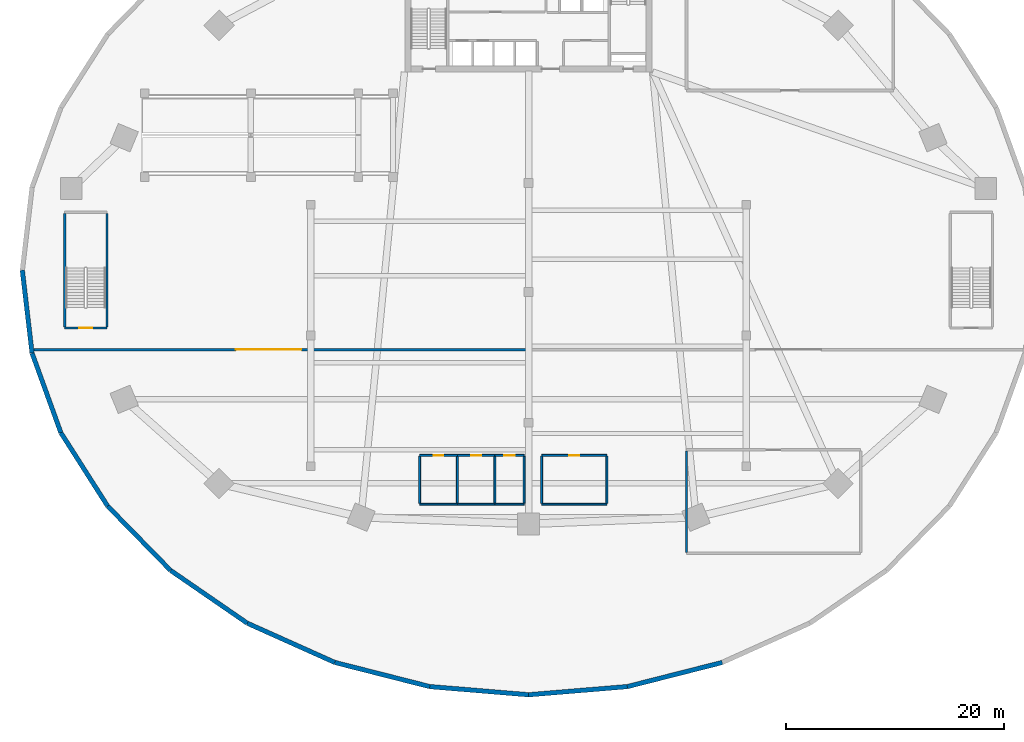
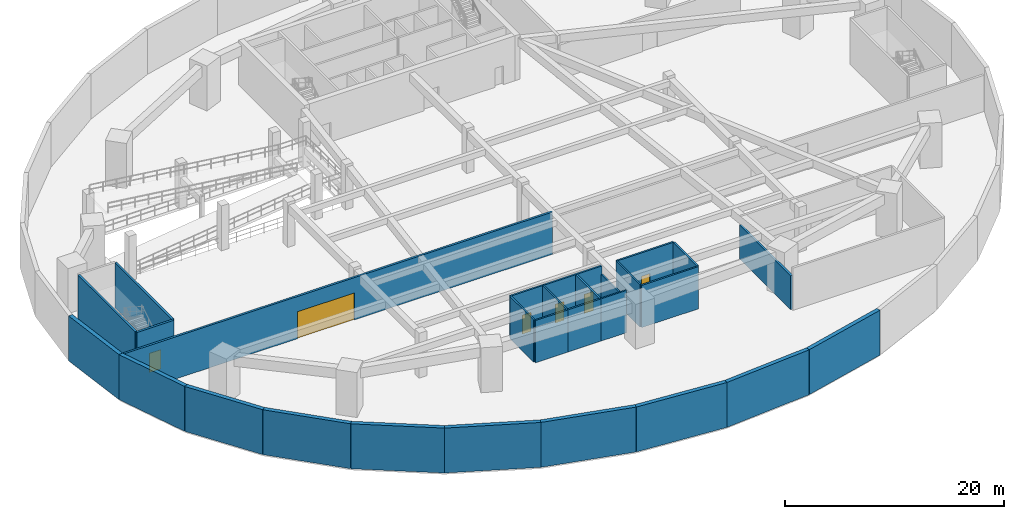
# One storey, part 4 of 10: 29 walls, 6 doors, 6 openings.
"""IFC4 building model written with IfcOpenShell, lengths in metres."""

from ifc_helpers import new_model, si_unit, direction, frame, frame_2d, origin, place, context, subcontext, project, spatial, rectangle, extrude, source, transform, mapped, material, layer, layer_set, type_object, type_shapes, element, fill, save


model = new_model("IFC4")

# Units and contexts
model_context = context("Model", 3, precision=1e-05, world=origin(), true_north=direction((0.0, 1.0)))
body_context = subcontext(model_context, "Body", "Model", "MODEL_VIEW")
ifc_project = project(units=[si_unit("LENGTHUNIT", "METRE"), si_unit("AREAUNIT", "SQUARE_METRE"), si_unit("VOLUMEUNIT", "CUBIC_METRE"), si_unit("PLANEANGLEUNIT", "RADIAN"), si_unit("MASSUNIT", "GRAM", prefix="KILO")], contexts=[model_context])

# Site, building, storey
site_placement = place(None, origin())
site = spatial("IfcSite", under=ifc_project, at=site_placement, CompositionType="ELEMENT")
building_placement = place(site_placement, origin())
building = spatial("IfcBuilding", under=site, at=building_placement, Name="Breltana Convention Tower", CompositionType="ELEMENT")
storey_placement = place(building_placement, frame((0.0, 0.0, -5.0)))
storey = spatial("IfcBuildingStorey", under=building, at=storey_placement, Name="B01", CompositionType="ELEMENT", Elevation=-5.0)

# Walls
ifc_material_1 = material(Name="Concrete C40/50", Category="concrete")
ifc_layer_1 = layer(ifc_material_1, 0.419921875, Name="Concrete C40/50")
ifc_layer_set_1 = layer_set([ifc_layer_1], Name="Concrete C40/50")
wall_type_1 = type_object("IfcWallType", Name="SW-BASE-420", PredefinedType="USERDEFINED", material=ifc_layer_set_1)
shared_shape_1 = source(origin(), body_context, "Body", "SweptSolid", [
    extrude(rectangle(XDim=7.66064453125, YDim=0.419921875, at=frame_2d((3.830322265625, 0.0))), origin(), (0.0, 0.0, 1.0), 5.0),
])
wall_1_placement = place(storey_placement, frame((1.5, 42.0, 0.0), z_axis=(0.0, 0.0, 1.0), x_axis=(0.116641545586, -0.993174078318, 0.0)))
element("IfcWall", 1, at=wall_1_placement, inside=storey, type_object=wall_type_1, Name="B01 Perimeter Retaining Wall 17", ObjectType="RETAININGWALL", PredefinedType="USERDEFINED", context=body_context, shape_type="MappedRepresentation", body=[
    mapped(shared_shape_1, transform((0.0, 0.0, 0.0), scale=1.0)),
])
shared_shape_2 = source(origin(), body_context, "Body", "SweptSolid", [
    extrude(rectangle(XDim=7.7802734375, YDim=0.419921875, at=frame_2d((3.89013671875, 0.0))), origin(), (0.0, 0.0, 1.0), 5.0),
])
wall_2_placement = place(storey_placement, frame((2.3935546875, 34.3916015625, 0.0), z_axis=(0.0, 0.0, 1.0), x_axis=(0.340094752388, -0.940391173607, 0.0)))
element("IfcWall", 2, at=wall_2_placement, inside=storey, type_object=wall_type_1, Name="B01 Perimeter Retaining Wall 18", ObjectType="RETAININGWALL", PredefinedType="USERDEFINED", context=body_context, shape_type="MappedRepresentation", body=[
    mapped(shared_shape_2, transform((0.0, 0.0, 0.0), scale=1.0)),
])
shared_shape_3 = source(origin(), body_context, "Body", "SweptSolid", [
    extrude(rectangle(XDim=7.995361328125, YDim=0.419921875, at=frame_2d((3.99755859375, 0.0))), origin(), (0.0, 0.0, 1.0), 5.0),
])
wall_3_placement = place(storey_placement, frame((5.03955078125, 27.0751953125, 0.0), z_axis=(0.0, 0.0, 1.0), x_axis=(0.537452304734, -0.84329414805, 0.0)))
element("IfcWall", 3, at=wall_3_placement, inside=storey, type_object=wall_type_1, Name="B01 Perimeter Retaining Wall 19", ObjectType="RETAININGWALL", PredefinedType="USERDEFINED", context=body_context, shape_type="MappedRepresentation", body=[
    mapped(shared_shape_3, transform((0.0, 0.0, 0.0), scale=1.0)),
])
shared_shape_4 = source(origin(), body_context, "Body", "SweptSolid", [
    extrude(rectangle(XDim=8.268310546875, YDim=0.419921875, at=frame_2d((4.13427734375, 0.0))), origin(), (0.0, 0.0, 1.0), 5.0),
])
wall_4_placement = place(storey_placement, frame((9.336669921875, 20.332763671875, 0.0), z_axis=(0.0, 0.0, 1.0), x_axis=(0.699373198463, -0.714756692358, 0.0)))
element("IfcWall", 4, at=wall_4_placement, inside=storey, type_object=wall_type_1, Name="B01 Perimeter Retaining Wall 20", ObjectType="RETAININGWALL", PredefinedType="USERDEFINED", context=body_context, shape_type="MappedRepresentation", body=[
    mapped(shared_shape_4, transform((0.0, 0.0, 0.0), scale=1.0)),
])
shared_shape_5 = source(origin(), body_context, "Body", "SweptSolid", [
    extrude(rectangle(XDim=8.554443359375, YDim=0.419921875, at=frame_2d((4.27734375, 0.0))), origin(), (0.0, 0.0, 1.0), 5.0),
])
wall_5_placement = place(storey_placement, frame((15.119384765625, 14.4228515625, 0.0), z_axis=(0.0, 0.0, 1.0), x_axis=(0.823739529001, -0.566968419192, 0.0)))
element("IfcWall", 5, at=wall_5_placement, inside=storey, type_object=wall_type_1, Name="B01 Perimeter Retaining Wall 21", ObjectType="RETAININGWALL", PredefinedType="USERDEFINED", context=body_context, shape_type="MappedRepresentation", body=[
    mapped(shared_shape_5, transform((0.0, 0.0, 0.0), scale=1.0)),
])
shared_shape_6 = source(origin(), body_context, "Body", "SweptSolid", [
    extrude(rectangle(XDim=8.81005859375, YDim=0.419921875, at=frame_2d((4.405029296875, 0.0))), origin(), (0.0, 0.0, 1.0), 5.0),
])
wall_6_placement = place(storey_placement, frame((22.166015625, 9.57275390625, 0.0), z_axis=(0.0, 0.0, 1.0), x_axis=(0.912497196731, -0.409082957305, 0.0)))
element("IfcWall", 6, at=wall_6_placement, inside=storey, type_object=wall_type_1, Name="B01 Perimeter Retaining Wall 22", ObjectType="RETAININGWALL", PredefinedType="USERDEFINED", context=body_context, shape_type="MappedRepresentation", body=[
    mapped(shared_shape_6, transform((0.0, 0.0, 0.0), scale=1.0)),
])
shared_shape_7 = source(origin(), body_context, "Body", "SweptSolid", [
    extrude(rectangle(XDim=9.0009765625, YDim=0.419921875, at=frame_2d((4.50048828125, 0.0))), origin(), (0.0, 0.0, 1.0), 5.0),
])
for number, where, z_axis, x_axis, name in (
    (7, (30.205078125, 5.96875, 0.0), (0.0, 0.0, 1.0), (0.969128996808, -0.246554228407, 0.0), "B01 Perimeter Retaining Wall 23"),
    (8, (57.07177734375, 3.74951171875, 0.0), (0.0, 0.0, 1.0), (0.969128996808, 0.246554228407, 0.0), "B01 Perimeter Retaining Wall 26"),
):
    element("IfcWall", number, at=place(storey_placement, frame(where, z_axis=z_axis, x_axis=x_axis)), inside=storey, type_object=wall_type_1, Name=name, ObjectType="RETAININGWALL", PredefinedType="USERDEFINED", context=body_context, shape_type="MappedRepresentation", body=[
        mapped(shared_shape_7, transform((0.0, 0.0, 0.0), scale=1.0)),
    ])
shared_shape_8 = source(origin(), body_context, "Body", "SweptSolid", [
    extrude(rectangle(XDim=9.102783203125, YDim=0.419921875, at=frame_2d((4.55126953125, 0.0))), origin(), (0.0, 0.0, 1.0), 5.0),
])
for number, where, z_axis, x_axis, name in (
    (9, (38.92822265625, 3.74951171875, 0.0), (0.0, 0.0, 1.0), (0.996604328886, -0.08233961165, 0.0), "B01 Perimeter Retaining Wall 24"),
    (10, (48.0, 3.0, 0.0), (0.0, 0.0, 1.0), (0.996604328886, 0.08233961165, 0.0), "B01 Perimeter Retaining Wall 25"),
):
    element("IfcWall", number, at=place(storey_placement, frame(where, z_axis=z_axis, x_axis=x_axis)), inside=storey, type_object=wall_type_1, Name=name, ObjectType="RETAININGWALL", PredefinedType="USERDEFINED", context=body_context, shape_type="MappedRepresentation", body=[
        mapped(shared_shape_8, transform((0.0, 0.0, 0.0), scale=1.0)),
    ])

# Wall, opening, door
ifc_layer_2 = layer(ifc_material_1, 0.219970703125, Name="Concrete C40/50")
ifc_layer_set_2 = layer_set([ifc_layer_2], Name="Concrete C40/50")
wall_type_2 = type_object("IfcWallType", Name="WL-SHAFT-220", PredefinedType="SOLIDWALL", material=ifc_layer_set_2)
shared_shape_9 = source(origin(), body_context, "Body", "SweptSolid", [
    extrude(rectangle(XDim=3.89013671875, YDim=0.219970703125, at=frame_2d((1.945068359375, 0.0))), origin(), (0.0, 0.0, 1.0), 5.0),
])
type_shapes(wall_type_2, [shared_shape_9])
wall_7_placement = place(storey_placement, frame((5.389892578125, 36.68994140625, 0.0), z_axis=(0.0, 0.0, 1.0), x_axis=(1.0, 0.0, 0.0)))
wall_7 = element("IfcWall", 11, at=wall_7_placement, inside=storey, type_object=wall_type_2, Name="B01 interior partition W-B01-ST3-S", PredefinedType="SOLIDWALL", context=body_context, shape_type="MappedRepresentation", body=[
    mapped(shared_shape_9, transform((0.0, 0.0, 0.0), scale=1.0)),
])
opening_1_placement = place(wall_7_placement, frame((1.344970703125, 0.0, 0.0)))
opening_1 = element("IfcOpeningElement", 12, at=opening_1_placement, cuts=wall_7, Name="Opening D-09", PredefinedType="OPENING", context=body_context, shape_type="SweptSolid", body=[
    extrude(rectangle(XDim=1.199951171875, YDim=2.14990234375, at=frame_2d((0.60009765625, 1.074951171875))), frame((0.0, 0.1201171875, 0.0), z_axis=(0.0, -1.0, 0.0), x_axis=(1.0, 0.0, 0.0)), (0.0, 0.0, 1.0), 0.239990234375),
])
ifc_material_2 = material(Name="Steel Fire Lobby Door", Category="steel")
door_type_1 = type_object("IfcDoorType", Name="DR-FD120-1200", OperationType="NOTDEFINED", PredefinedType="DOOR", material=ifc_material_2)
shared_shape_10 = source(origin(), body_context, "Body", "SweptSolid", [
    extrude(rectangle(XDim=1.199951171875, YDim=2.14990234375, at=frame_2d((0.60009765625, 1.074951171875))), frame((0.0, 0.02490234375, 0.0), z_axis=(0.0, -1.0, 0.0), x_axis=(1.0, 0.0, 0.0)), (0.0, 0.0, 1.0), 0.050048828125),
])
type_shapes(door_type_1, [shared_shape_10])
door_1_placement = place(opening_1_placement, origin())
door_1 = element("IfcDoor", 13, at=door_1_placement, inside=storey, type_object=door_type_1, Name="B01 interior door D-B01-ST3", OperationType="SINGLE_SWING_RIGHT", OverallHeight=2.14990234375, OverallWidth=1.199951171875, PredefinedType="DOOR", context=body_context, shape_type="MappedRepresentation", body=[
    mapped(shared_shape_10, transform((0.0, 0.0, 0.0), scale=1.0)),
])
fill(opening_1, door_1)

# Walls
shared_shape_11 = source(origin(), body_context, "Body", "SweptSolid", [
    extrude(rectangle(XDim=10.421875, YDim=0.219970703125, at=frame_2d((5.2109375, 0.0))), origin(), (0.0, 0.0, 1.0), 5.0),
])
for number, where, z_axis, x_axis, name in (
    (14, (5.389892578125, 36.7890625, 0.0), (0.0, 0.0, 1.0), (0.0, 1.0, 0.0), "B01 interior partition W-B01-ST3-W"),
    (15, (9.280029296875, 36.7890625, 0.0), (0.0, 0.0, 1.0), (0.0, 1.0, 0.0), "B01 interior partition W-B01-ST3-E"),
):
    element("IfcWall", number, at=place(storey_placement, frame(where, z_axis=z_axis, x_axis=x_axis)), inside=storey, type_object=wall_type_2, Name=name, PredefinedType="SOLIDWALL", context=body_context, shape_type="MappedRepresentation", body=[
        mapped(shared_shape_11, transform((0.0, 0.0, 0.0), scale=1.0)),
    ])
ifc_material_3 = material(Name="Autoclaved Aerated Masonry Blockwork", Category="masonry")
ifc_layer_3 = layer(ifc_material_3, 0.2099609375, Name="Autoclaved Aerated Masonry Blockwork")
ifc_layer_set_3 = layer_set([ifc_layer_3], Name="Autoclaved Aerated Masonry Blockwork")
wall_type_3 = type_object("IfcWallType", Name="WL-PART-200", PredefinedType="PARTITIONING", material=ifc_layer_set_3)
shared_shape_12 = source(origin(), body_context, "Body", "SweptSolid", [
    extrude(rectangle(XDim=9.31982421875, YDim=0.2099609375, at=frame_2d((4.659912109375, 0.0))), origin(), (0.0, 0.0, 1.0), 3.780029296875),
])
wall_8_placement = place(storey_placement, frame((62.5, 16.090087890625, 0.0), z_axis=(0.0, 0.0, 1.0), x_axis=(0.0, 1.0, 0.0)))
element("IfcWall", 16, at=wall_8_placement, inside=storey, type_object=wall_type_3, Name="B01 interior partition W-B01-BIC1-W", PredefinedType="PARTITIONING", context=body_context, shape_type="MappedRepresentation", body=[
    mapped(shared_shape_12, transform((0.0, 0.0, 0.0), scale=1.0)),
])

# Wall, opening, door
shared_shape_13 = source(origin(), body_context, "Body", "SweptSolid", [
    extrude(rectangle(XDim=45.451416015625, YDim=0.219970703125, at=frame_2d((22.7255859375, 0.0))), origin(), (0.0, 0.0, 1.0), 4.699951171875),
])
wall_9_placement = place(storey_placement, frame((2.548583984375, 34.699951171875, 0.0), z_axis=(0.0, 0.0, 1.0), x_axis=(1.0, 0.0, 0.0)))
wall_9 = element("IfcWall", 17, at=wall_9_placement, inside=storey, type_object=wall_type_2, Name="B01 interior partition W-B01-FSH-W", PredefinedType="SOLIDWALL", context=body_context, shape_type="MappedRepresentation", body=[
    mapped(shared_shape_13, transform((0.0, 0.0, 0.0), scale=1.0)),
])
opening_2_placement = place(wall_9_placement, frame((18.57568359375, 0.0, 0.0)))
opening_2 = element("IfcOpeningElement", 18, at=opening_2_placement, cuts=wall_9, Name="Opening VG-03", PredefinedType="OPENING", context=body_context, shape_type="SweptSolid", body=[
    extrude(rectangle(XDim=6.0, YDim=3.0, at=frame_2d((3.0, 1.5))), frame((0.0, 0.1201171875, 0.0), z_axis=(0.0, -1.0, 0.0), x_axis=(1.0, 0.0, 0.0)), (0.0, 0.0, 1.0), 0.239990234375),
])
ifc_material_4 = material(Name="Steel Fire-Rated Roller Shutter", Category="steel")
door_type_2 = type_object("IfcDoorType", Name="DR-GATE-FIRE-6000", OperationType="ROLLINGUP", PredefinedType="GATE", material=ifc_material_4)
shared_shape_14 = source(origin(), body_context, "Body", "SweptSolid", [
    extrude(rectangle(XDim=6.0, YDim=3.0, at=frame_2d((3.0, 1.5))), frame((0.0, 0.02490234375, 0.0), z_axis=(0.0, -1.0, 0.0), x_axis=(1.0, 0.0, 0.0)), (0.0, 0.0, 1.0), 0.050048828125),
])
type_shapes(door_type_2, [shared_shape_14])
door_2_placement = place(opening_2_placement, origin())
door_2 = element("IfcDoor", 19, at=door_2_placement, inside=storey, type_object=door_type_2, Name="B01 interior door VG-B01-FIRE-W", OperationType="ROLLINGUP", OverallHeight=3.0, OverallWidth=6.0, PredefinedType="GATE", context=body_context, shape_type="MappedRepresentation", body=[
    mapped(shared_shape_14, transform((0.0, 0.0, 0.0), scale=1.0)),
])
fill(opening_2, door_2)

# Wall
ifc_material_5 = material(Name="Cement Board Wet-Area Partition")
ifc_layer_4 = layer(ifc_material_5, 0.175048828125, Name="Cement Board Wet-Area Partition")
ifc_layer_set_4 = layer_set([ifc_layer_4], Name="Cement Board Wet-Area Partition")
wall_type_4 = type_object("IfcWallType", Name="WL-WET-175", PredefinedType="PARTITIONING", material=ifc_layer_set_4)
shared_shape_15 = source(origin(), body_context, "Body", "SweptSolid", [
    extrude(rectangle(XDim=6.0, YDim=0.175048828125, at=frame_2d((3.0, 0.0))), origin(), (0.0, 0.0, 1.0), 4.699951171875),
])
type_shapes(wall_type_4, [shared_shape_15])
wall_10_placement = place(storey_placement, frame((49.199951171875, 20.5, 0.0), z_axis=(0.0, 0.0, 1.0), x_axis=(1.0, 0.0, 0.0)))
element("IfcWall", 20, at=wall_10_placement, inside=storey, type_object=wall_type_4, Name="B01 interior partition W-B01-SHW1-S", PredefinedType="PARTITIONING", context=body_context, shape_type="MappedRepresentation", body=[
    mapped(shared_shape_15, transform((0.0, 0.0, 0.0), scale=1.0)),
])

# Wall, opening, door
ifc_material_6 = material(Name="Moisture-Resistant Gypsum Chase Wall")
ifc_layer_5 = layer(ifc_material_6, 0.179931640625, Name="Moisture-Resistant Gypsum Chase Wall")
ifc_layer_set_5 = layer_set([ifc_layer_5], Name="Moisture-Resistant Gypsum Chase Wall")
wall_type_5 = type_object("IfcWallType", Name="WL-PLUMB-180", PredefinedType="PLUMBINGWALL", material=ifc_layer_set_5)
shared_shape_16 = source(origin(), body_context, "Body", "SweptSolid", [
    extrude(rectangle(XDim=6.0, YDim=0.179931640625, at=frame_2d((3.0, 0.0))), origin(), (0.0, 0.0, 1.0), 4.699951171875),
])
type_shapes(wall_type_5, [shared_shape_16])
wall_11_placement = place(storey_placement, frame((49.199951171875, 25.0, 0.0), z_axis=(0.0, 0.0, 1.0), x_axis=(1.0, 0.0, 0.0)))
wall_11 = element("IfcWall", 21, at=wall_11_placement, inside=storey, type_object=wall_type_5, Name="B01 interior partition W-B01-SHW1-N", PredefinedType="PLUMBINGWALL", context=body_context, shape_type="MappedRepresentation", body=[
    mapped(shared_shape_16, transform((0.0, 0.0, 0.0), scale=1.0)),
])
opening_3_placement = place(wall_11_placement, frame((2.550048828125, 0.0, 0.0)))
opening_3 = element("IfcOpeningElement", 22, at=opening_3_placement, cuts=wall_11, Name="Opening D-19", PredefinedType="OPENING", context=body_context, shape_type="SweptSolid", body=[
    extrude(rectangle(XDim=0.89990234375, YDim=2.080078125, at=frame_2d((0.449951171875, 1.0400390625))), frame((0.0, 0.10009765625, 0.0), z_axis=(0.0, -1.0, 0.0), x_axis=(1.0, 0.0, 0.0)), (0.0, 0.0, 1.0), 0.199951171875),
])
ifc_material_7 = material(Name="Timber Moisture-Resistant Door", Category="wood")
door_type_3 = type_object("IfcDoorType", Name="DR-WC-900", OperationType="NOTDEFINED", PredefinedType="DOOR", material=ifc_material_7)
shared_shape_17 = source(origin(), body_context, "Body", "SweptSolid", [
    extrude(rectangle(XDim=0.89990234375, YDim=2.080078125, at=frame_2d((0.449951171875, 1.0400390625))), frame((0.0, 0.02490234375, 0.0), z_axis=(0.0, -1.0, 0.0), x_axis=(1.0, 0.0, 0.0)), (0.0, 0.0, 1.0), 0.050048828125),
])
type_shapes(door_type_3, [shared_shape_17])
door_3_placement = place(opening_3_placement, origin())
door_3 = element("IfcDoor", 23, at=door_3_placement, inside=storey, type_object=door_type_3, Name="B01 interior door D-B01-SHW1", OperationType="SINGLE_SWING_LEFT", OverallHeight=2.080078125, OverallWidth=0.89990234375, PredefinedType="DOOR", context=body_context, shape_type="MappedRepresentation", body=[
    mapped(shared_shape_17, transform((0.0, 0.0, 0.0), scale=1.0)),
])
fill(opening_3, door_3)

# Walls
shared_shape_18 = source(origin(), body_context, "Body", "SweptSolid", [
    extrude(rectangle(XDim=4.3427734375, YDim=0.175048828125, at=frame_2d((2.17138671875, 0.0))), origin(), (0.0, 0.0, 1.0), 4.699951171875),
])
for number, where, z_axis, x_axis, name in (
    (24, (49.199951171875, 20.57861328125, 0.0), (0.0, 0.0, 1.0), (0.0, 1.0, 0.0), "B01 interior partition W-B01-SHW1-W"),
    (25, (55.199951171875, 20.57861328125, 0.0), (0.0, 0.0, 1.0), (0.0, 1.0, 0.0), "B01 interior partition W-B01-SHW1-E"),
    (26, (38.0, 20.57861328125, 0.0), (0.0, 0.0, 1.0), (0.0, 1.0, 0.0), "B01 interior partition W-B01-WCM-W"),
    (27, (41.4560546875, 20.57861328125, 0.0), (0.0, 0.0, 1.0), (0.0, 1.0, 0.0), "B01 interior partition W-B01-WCM-E"),
    (28, (44.912109375, 20.57861328125, 0.0), (0.0, 0.0, 1.0), (0.0, 1.0, 0.0), "B01 interior partition W-B01-WCF-E"),
):
    element("IfcWall", number, at=place(storey_placement, frame(where, z_axis=z_axis, x_axis=x_axis)), inside=storey, type_object=wall_type_4, Name=name, PredefinedType="PARTITIONING", context=body_context, shape_type="MappedRepresentation", body=[
        mapped(shared_shape_18, transform((0.0, 0.0, 0.0), scale=1.0)),
    ])
shared_shape_19 = source(origin(), body_context, "Body", "SweptSolid", [
    extrude(rectangle(XDim=3.4560546875, YDim=0.175048828125, at=frame_2d((1.72802734375, 0.0))), origin(), (0.0, 0.0, 1.0), 4.699951171875),
])
for number, where, z_axis, x_axis, name in (
    (29, (38.0, 20.5, 0.0), (0.0, 0.0, 1.0), (1.0, 0.0, 0.0), "B01 interior partition W-B01-WCM-S"),
    (30, (41.4560546875, 20.5, 0.0), (0.0, 0.0, 1.0), (1.0, 0.0, 0.0), "B01 interior partition W-B01-WCF-S"),
):
    element("IfcWall", number, at=place(storey_placement, frame(where, z_axis=z_axis, x_axis=x_axis)), inside=storey, type_object=wall_type_4, Name=name, PredefinedType="PARTITIONING", context=body_context, shape_type="MappedRepresentation", body=[
        mapped(shared_shape_19, transform((0.0, 0.0, 0.0), scale=1.0)),
    ])

# Wall, opening, door
shared_shape_20 = source(origin(), body_context, "Body", "SweptSolid", [
    extrude(rectangle(XDim=3.4560546875, YDim=0.179931640625, at=frame_2d((1.72802734375, 0.0))), origin(), (0.0, 0.0, 1.0), 4.699951171875),
])
wall_12_placement = place(storey_placement, frame((38.0, 25.0, 0.0), z_axis=(0.0, 0.0, 1.0), x_axis=(1.0, 0.0, 0.0)))
wall_12 = element("IfcWall", 31, at=wall_12_placement, inside=storey, type_object=wall_type_5, Name="B01 interior partition W-B01-WCM-N", PredefinedType="PLUMBINGWALL", context=body_context, shape_type="MappedRepresentation", body=[
    mapped(shared_shape_20, transform((0.0, 0.0, 0.0), scale=1.0)),
])
opening_4_placement = place(wall_12_placement, frame((1.278076171875, 0.0, 0.0)))
opening_4 = element("IfcOpeningElement", 32, at=opening_4_placement, cuts=wall_12, Name="Opening D-19", PredefinedType="OPENING", context=body_context, shape_type="SweptSolid", body=[
    extrude(rectangle(XDim=0.89990234375, YDim=2.080078125, at=frame_2d((0.449951171875, 1.0400390625))), frame((0.0, 0.10009765625, 0.0), z_axis=(0.0, -1.0, 0.0), x_axis=(1.0, 0.0, 0.0)), (0.0, 0.0, 1.0), 0.199951171875),
])
door_4_placement = place(opening_4_placement, origin())
door_4 = element("IfcDoor", 33, at=door_4_placement, inside=storey, type_object=door_type_3, Name="B01 interior door D-B01-WCM", OperationType="SINGLE_SWING_LEFT", OverallHeight=2.080078125, OverallWidth=0.89990234375, PredefinedType="DOOR", context=body_context, shape_type="MappedRepresentation", body=[
    mapped(shared_shape_17, transform((0.0, 0.0, 0.0), scale=1.0)),
])
fill(opening_4, door_4)

wall_13_placement = place(storey_placement, frame((41.4560546875, 25.0, 0.0), z_axis=(0.0, 0.0, 1.0), x_axis=(1.0, 0.0, 0.0)))
wall_13 = element("IfcWall", 34, at=wall_13_placement, inside=storey, type_object=wall_type_5, Name="B01 interior partition W-B01-WCF-N", PredefinedType="PLUMBINGWALL", context=body_context, shape_type="MappedRepresentation", body=[
    mapped(shared_shape_20, transform((0.0, 0.0, 0.0), scale=1.0)),
])
opening_5_placement = place(wall_13_placement, frame((1.278076171875, 0.0, 0.0)))
opening_5 = element("IfcOpeningElement", 35, at=opening_5_placement, cuts=wall_13, Name="Opening D-19", PredefinedType="OPENING", context=body_context, shape_type="SweptSolid", body=[
    extrude(rectangle(XDim=0.89990234375, YDim=2.080078125, at=frame_2d((0.449951171875, 1.0400390625))), frame((0.0, 0.10009765625, 0.0), z_axis=(0.0, -1.0, 0.0), x_axis=(1.0, 0.0, 0.0)), (0.0, 0.0, 1.0), 0.199951171875),
])
door_5_placement = place(opening_5_placement, origin())
door_5 = element("IfcDoor", 36, at=door_5_placement, inside=storey, type_object=door_type_3, Name="B01 interior door D-B01-WCF", OperationType="SINGLE_SWING_RIGHT", OverallHeight=2.080078125, OverallWidth=0.89990234375, PredefinedType="DOOR", context=body_context, shape_type="MappedRepresentation", body=[
    mapped(shared_shape_17, transform((0.0, 0.0, 0.0), scale=1.0)),
])
fill(opening_5, door_5)

# Wall
shared_shape_21 = source(origin(), body_context, "Body", "SweptSolid", [
    extrude(rectangle(XDim=2.68798828125, YDim=0.175048828125, at=frame_2d((1.343994140625, 0.0))), origin(), (0.0, 0.0, 1.0), 4.699951171875),
])
wall_14_placement = place(storey_placement, frame((44.912109375, 20.5, 0.0), z_axis=(0.0, 0.0, 1.0), x_axis=(1.0, 0.0, 0.0)))
element("IfcWall", 37, at=wall_14_placement, inside=storey, type_object=wall_type_4, Name="B01 interior partition W-B01-WCA-S", PredefinedType="PARTITIONING", context=body_context, shape_type="MappedRepresentation", body=[
    mapped(shared_shape_21, transform((0.0, 0.0, 0.0), scale=1.0)),
])

# Wall, opening, door
shared_shape_22 = source(origin(), body_context, "Body", "SweptSolid", [
    extrude(rectangle(XDim=2.68798828125, YDim=0.179931640625, at=frame_2d((1.343994140625, 0.0))), origin(), (0.0, 0.0, 1.0), 4.699951171875),
])
wall_15_placement = place(storey_placement, frame((44.912109375, 25.0, 0.0), z_axis=(0.0, 0.0, 1.0), x_axis=(1.0, 0.0, 0.0)))
wall_15 = element("IfcWall", 38, at=wall_15_placement, inside=storey, type_object=wall_type_5, Name="B01 interior partition W-B01-WCA-N", PredefinedType="PLUMBINGWALL", context=body_context, shape_type="MappedRepresentation", body=[
    mapped(shared_shape_22, transform((0.0, 0.0, 0.0), scale=1.0)),
])
opening_6_placement = place(wall_15_placement, frame((0.868896484375, 0.0, 0.0)))
opening_6 = element("IfcOpeningElement", 39, at=opening_6_placement, cuts=wall_15, Name="Opening D-16", PredefinedType="OPENING", context=body_context, shape_type="SweptSolid", body=[
    extrude(rectangle(XDim=0.949951171875, YDim=2.1201171875, at=frame_2d((0.47509765625, 1.06005859375))), frame((0.0, 0.10009765625, 0.0), z_axis=(0.0, -1.0, 0.0), x_axis=(1.0, 0.0, 0.0)), (0.0, 0.0, 1.0), 0.199951171875),
])
ifc_material_8 = material(Name="Timber Laminate Accessible Door", Category="wood")
door_type_4 = type_object("IfcDoorType", Name="DR-ACC-950", OperationType="NOTDEFINED", PredefinedType="DOOR", material=ifc_material_8)
shared_shape_23 = source(origin(), body_context, "Body", "SweptSolid", [
    extrude(rectangle(XDim=0.949951171875, YDim=2.1201171875, at=frame_2d((0.47509765625, 1.06005859375))), frame((0.0, 0.02490234375, 0.0), z_axis=(0.0, -1.0, 0.0), x_axis=(1.0, 0.0, 0.0)), (0.0, 0.0, 1.0), 0.050048828125),
])
type_shapes(door_type_4, [shared_shape_23])
door_6_placement = place(opening_6_placement, origin())
door_6 = element("IfcDoor", 40, at=door_6_placement, inside=storey, type_object=door_type_4, Name="B01 interior door D-B01-WCA", OperationType="SINGLE_SWING_LEFT", OverallHeight=2.1201171875, OverallWidth=0.949951171875, PredefinedType="DOOR", context=body_context, shape_type="MappedRepresentation", body=[
    mapped(shared_shape_23, transform((0.0, 0.0, 0.0), scale=1.0)),
])
fill(opening_6, door_6)

# Wall
shared_shape_24 = source(origin(), body_context, "Body", "SweptSolid", [
    extrude(rectangle(XDim=4.3427734375, YDim=0.175048828125, at=frame_2d((2.17138671875, 0.0))), origin(), (0.0, 0.0, 1.0), 3.780029296875),
])
wall_16_placement = place(storey_placement, frame((47.60009765625, 20.57861328125, 0.0), z_axis=(0.0, 0.0, 1.0), x_axis=(0.0, 1.0, 0.0)))
element("IfcWall", 41, at=wall_16_placement, inside=storey, type_object=wall_type_4, Name="B01 interior partition W-B01-WCA-E", PredefinedType="PARTITIONING", context=body_context, shape_type="MappedRepresentation", body=[
    mapped(shared_shape_24, transform((0.0, 0.0, 0.0), scale=1.0)),
])

save(model, "model.ifc")
